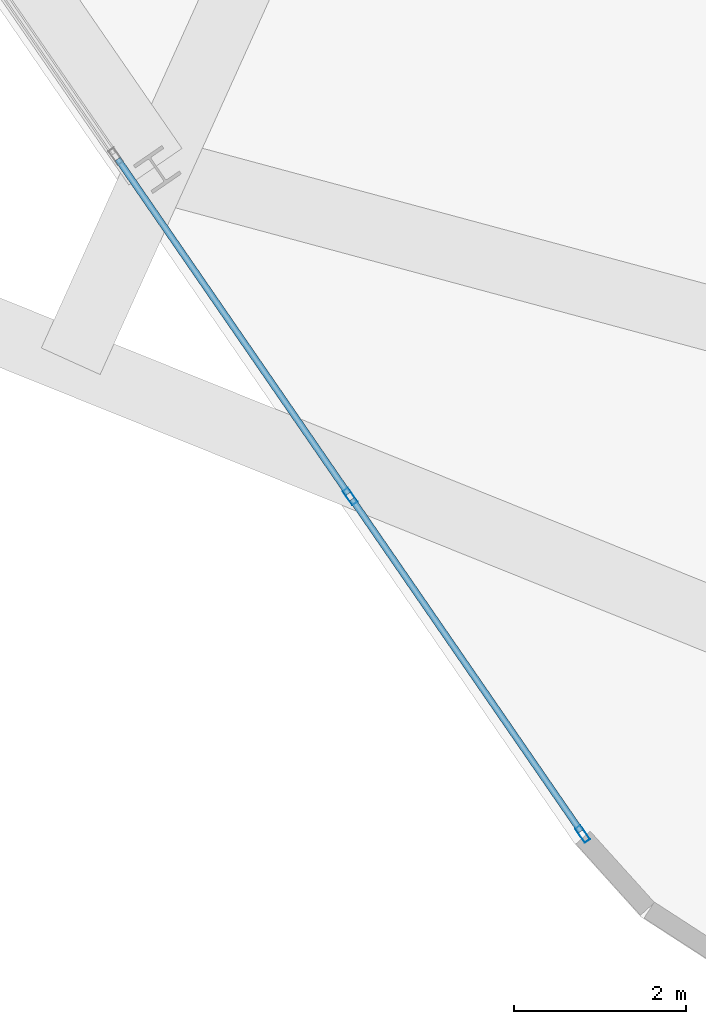
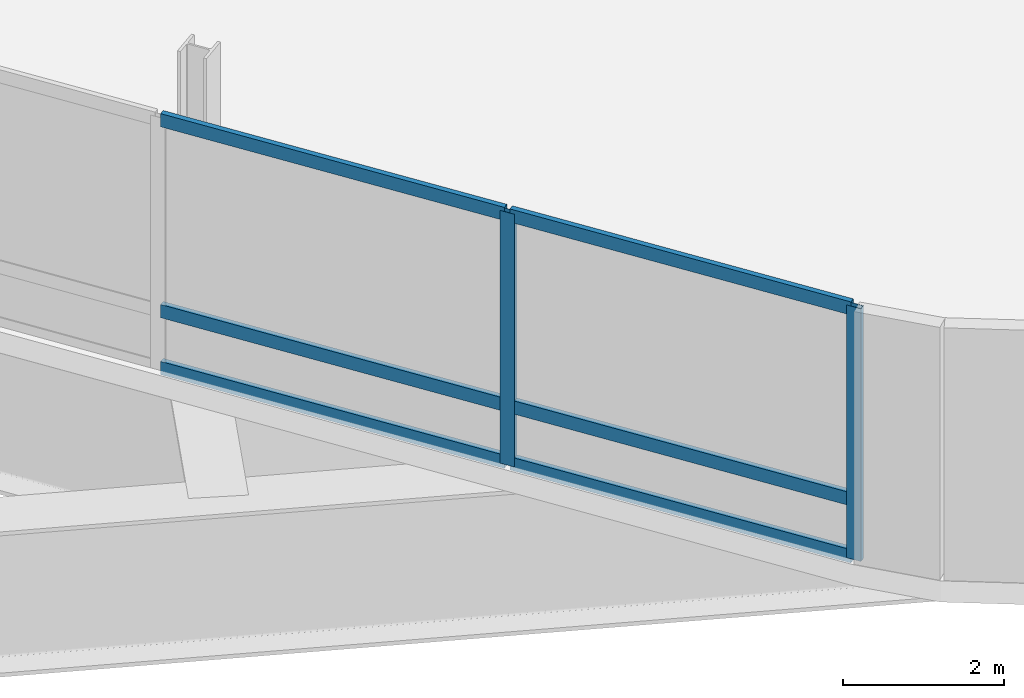
# One storey, part 2 of 18: 8 members, 1 element without a shape of its own.
"""IFC4 building model written with IfcOpenShell, lengths in metres."""

from ifc_helpers import new_model, si_unit, direction, frame, origin, origin_2d, place, context, subcontext, project, spatial, hollow_rectangle, extrude, material, layer, layer_set, material_profile, profile_set, type_object, element, aggregate, save


model = new_model("IFC4")

# Units and contexts
model_context = context("Model", 3, precision=1e-05, world=origin(), true_north=direction((0.0, 1.0)))
body_context = subcontext(model_context, "Body", "Model", "MODEL_VIEW")
ifc_project = project(units=[si_unit("LENGTHUNIT", "METRE"), si_unit("AREAUNIT", "SQUARE_METRE"), si_unit("VOLUMEUNIT", "CUBIC_METRE"), si_unit("PLANEANGLEUNIT", "RADIAN"), si_unit("MASSUNIT", "GRAM", prefix="KILO")], contexts=[model_context])

# Site, building, storey
site_placement = place(None, origin())
site = spatial("IfcSite", under=ifc_project, at=site_placement, CompositionType="ELEMENT")
building_placement = place(site_placement, origin())
building = spatial("IfcBuilding", under=site, at=building_placement, Name="Varnelok Gate Tower", CompositionType="ELEMENT")
storey_placement = place(building_placement, frame((0.0, 0.0, 296.300048828125)))
storey = spatial("IfcBuildingStorey", under=building, at=storey_placement, Name="L76", CompositionType="ELEMENT", Elevation=296.300048828125)

# Curtain wall, members
ifc_material = material(Name="Anodized Aluminum Alloy 6063-T6", Category="aluminium")
ifc_layer = layer(ifc_material, 0.179931640625)
ifc_layer_set = layer_set([ifc_layer], Name="Anodized Aluminum Alloy 6063-T6")
curtain_wall_type = type_object("IfcCurtainWallType", Name="CW6-CROWN-LOOKOUT", PredefinedType="USERDEFINED", material=ifc_layer_set)
curtain_wall_placement = place(storey_placement, origin())
curtain_wall = element("IfcCurtainWall", 1, at=curtain_wall_placement, inside=storey, type_object=curtain_wall_type, Name="L76 West End Vision Curtain Wall", ObjectType="STRUCTURAL GLAZING", PredefinedType="USERDEFINED")
ifc_material_profile_1 = material_profile(ifc_material, hollow_rectangle(XDim=0.074951171875, YDim=0.199951171875, WallThickness=0.00390625, at=origin_2d()), Name="ALU200X75X4")
ifc_profile_set_1 = profile_set([ifc_material_profile_1], Name="Anodized Aluminum Alloy 6063-T6")
member_type_1 = type_object("IfcMemberType", Name="CW-MULL-200", PredefinedType="MULLION", material=ifc_profile_set_1)
member_1_placement = place(storey_placement, frame((24.689453125, 0.77880859375, 0.0), z_axis=(0.0, 0.0, 1.0), x_axis=(-0.823531954141, -0.567269883308, 0.0)))
member_1 = element("IfcMember", 2, at=member_1_placement, type_object=member_type_1, Name="CW6 mullion 1", PredefinedType="MULLION", context=body_context, shape_type="SweptSolid", body=[
    extrude(hollow_rectangle(XDim=0.074951171875, YDim=0.199951171875, WallThickness=0.00390625, at=origin_2d()), origin(), (0.0, 0.0, 1.0), 3.829833984375),
])
member_2_placement = place(storey_placement, frame((21.98779296875, 4.700927734375, 0.0), z_axis=(0.0, 0.0, 1.0), x_axis=(-0.823531954141, -0.567269883308, 0.0)))
member_2 = element("IfcMember", 3, at=member_2_placement, type_object=member_type_1, Name="CW6 mullion 2", PredefinedType="MULLION", context=body_context, shape_type="SweptSolid", body=[
    extrude(hollow_rectangle(XDim=0.074951171875, YDim=0.199951171875, WallThickness=0.00390625, at=origin_2d()), origin(), (0.0, 0.0, 1.0), 3.829833984375),
])
ifc_material_profile_2 = material_profile(ifc_material, hollow_rectangle(XDim=0.074951171875, YDim=0.199951171875, WallThickness=0.00390625, at=origin_2d()), Name="ALU200X75X4")
ifc_profile_set_2 = profile_set([ifc_material_profile_2], Name="Anodized Aluminum Alloy 6063-T6")
member_type_2 = type_object("IfcMemberType", Name="CW-TRAN-200", PredefinedType="USERDEFINED", material=ifc_profile_set_2)
member_3_placement = place(storey_placement, frame((24.668212890625, 0.809814453125, 0.037353515625), z_axis=(-0.567280119285, 0.823524903244, 0.0), x_axis=(-0.823524903244, -0.567280119285, 0.0)))
member_3 = element("IfcMember", 4, at=member_3_placement, type_object=member_type_2, Name="CW6 transom 1.1", ObjectType="TRANSOM", PredefinedType="USERDEFINED", context=body_context, shape_type="SweptSolid", body=[
    extrude(hollow_rectangle(XDim=0.074951171875, YDim=0.199951171875, WallThickness=0.00390625, at=origin_2d()), origin(), (0.0, 0.0, 1.0), 4.6875),
])
member_4_placement = place(storey_placement, frame((24.668212890625, 0.809814453125, 0.89990234375), z_axis=(-0.567280119285, 0.823524903244, 0.0), x_axis=(-0.823524903244, -0.567280119285, 0.0)))
member_4 = element("IfcMember", 5, at=member_4_placement, type_object=member_type_2, Name="CW6 transom 1.2", ObjectType="TRANSOM", PredefinedType="USERDEFINED", context=body_context, shape_type="SweptSolid", body=[
    extrude(hollow_rectangle(XDim=0.074951171875, YDim=0.199951171875, WallThickness=0.00390625, at=origin_2d()), origin(), (0.0, 0.0, 1.0), 4.6875),
])
member_5_placement = place(storey_placement, frame((24.668212890625, 0.809814453125, 3.79248046875), z_axis=(-0.567280119285, 0.823524903244, 0.0), x_axis=(-0.823524903244, -0.567280119285, 0.0)))
member_5 = element("IfcMember", 6, at=member_5_placement, type_object=member_type_2, Name="CW6 transom 1.3", ObjectType="TRANSOM", PredefinedType="USERDEFINED", context=body_context, shape_type="SweptSolid", body=[
    extrude(hollow_rectangle(XDim=0.074951171875, YDim=0.199951171875, WallThickness=0.00390625, at=origin_2d()), origin(), (0.0, 0.0, 1.0), 4.6875),
])
member_6_placement = place(storey_placement, frame((21.966552734375, 4.73193359375, 0.037353515625), z_axis=(-0.567287326313, 0.823519938681, 0.0), x_axis=(-0.823519938681, -0.567287326313, 0.0)))
member_6 = element("IfcMember", 7, at=member_6_placement, type_object=member_type_2, Name="CW6 transom 2.1", ObjectType="TRANSOM", PredefinedType="USERDEFINED", context=body_context, shape_type="SweptSolid", body=[
    extrude(hollow_rectangle(XDim=0.074951171875, YDim=0.199951171875, WallThickness=0.00390625, at=origin_2d()), origin(), (0.0, 0.0, 1.0), 4.72509765625),
])
member_7_placement = place(storey_placement, frame((21.966552734375, 4.73193359375, 0.89990234375), z_axis=(-0.567287326313, 0.823519938681, 0.0), x_axis=(-0.823519938681, -0.567287326313, 0.0)))
member_7 = element("IfcMember", 8, at=member_7_placement, type_object=member_type_2, Name="CW6 transom 2.2", ObjectType="TRANSOM", PredefinedType="USERDEFINED", context=body_context, shape_type="SweptSolid", body=[
    extrude(hollow_rectangle(XDim=0.074951171875, YDim=0.199951171875, WallThickness=0.00390625, at=origin_2d()), origin(), (0.0, 0.0, 1.0), 4.72509765625),
])
member_8_placement = place(storey_placement, frame((21.966552734375, 4.73193359375, 3.79248046875), z_axis=(-0.567287326313, 0.823519938681, 0.0), x_axis=(-0.823519938681, -0.567287326313, 0.0)))
member_8 = element("IfcMember", 9, at=member_8_placement, type_object=member_type_2, Name="CW6 transom 2.3", ObjectType="TRANSOM", PredefinedType="USERDEFINED", context=body_context, shape_type="SweptSolid", body=[
    extrude(hollow_rectangle(XDim=0.074951171875, YDim=0.199951171875, WallThickness=0.00390625, at=origin_2d()), origin(), (0.0, 0.0, 1.0), 4.72509765625),
])
aggregate(curtain_wall, [member_1, member_2, member_3, member_4, member_5, member_6, member_7, member_8])

save(model, "model.ifc")
